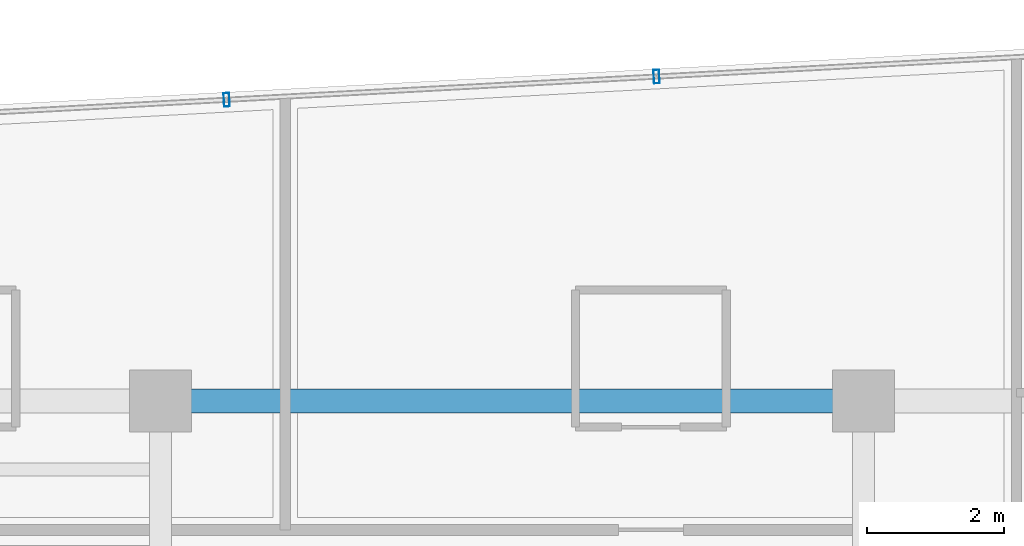
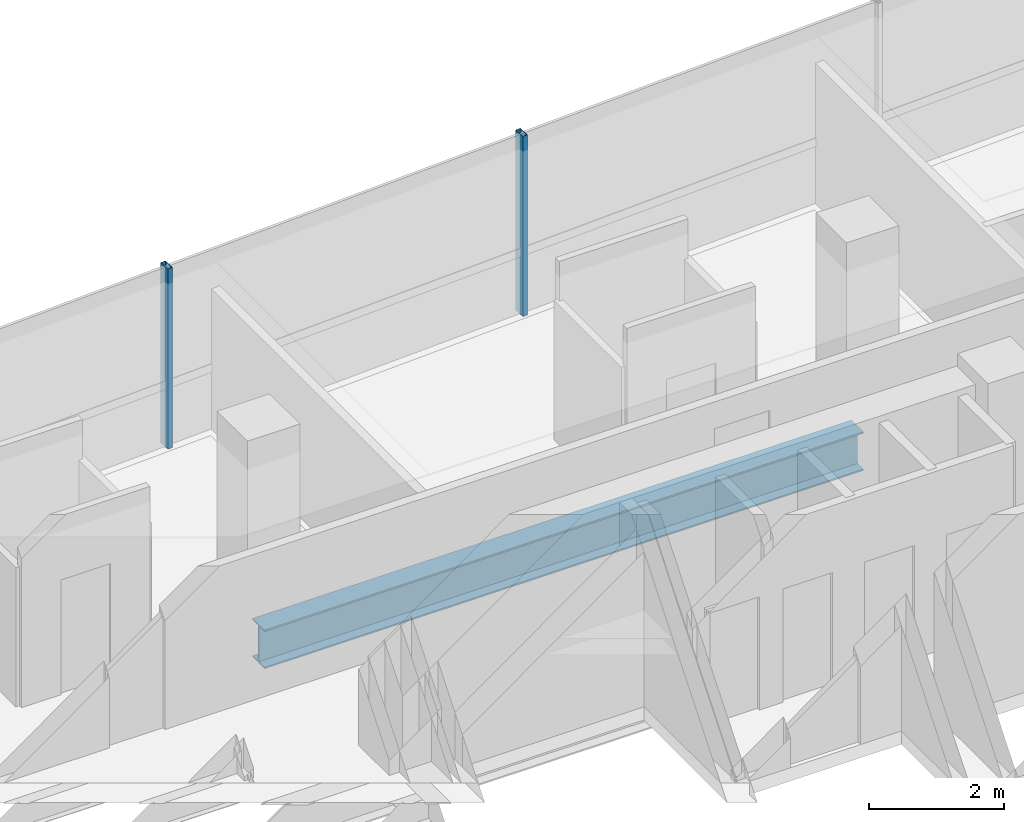
# One storey, part 12 of 22: 2 members, 1 beam, 1 element without a shape of its own.
"""IFC4 building model written with IfcOpenShell, lengths in metres."""

import ifcopenshell
import ifcopenshell.guid

model = None  # the IFC model being written
_history = None  # IfcOwnerHistory: only IFC2X3 demands one
_inside = {}  # id of a spatial element -> (the spatial element, [elements in it])
_under = {}  # id of a project, library or spatial element -> (it, [spatial elements below it])
_declared = {}  # id of a project -> (the project, [libraries it declares])
_typed = {}  # id of a type object -> (the type object, [elements of that type])
_made_of = {}  # id of a material, layer set ... -> (it, [elements and type objects made of it])


def new_model(schema):
    """Start an empty IFC model of exactly this schema.

    Asked for "IFC4X3", IfcOpenShell would pick the latest addendum, in which some entities
    have other attributes; the version numbers below select the first issue.
    IFC2X3 requires an IfcOwnerHistory on every rooted entity: one is made here for all.
    """
    global model, _history
    if schema == "IFC4X3":
        model = ifcopenshell.file(schema_version=(4, 3, 0, 0))
    else:
        model = ifcopenshell.file(schema=schema)
    _inside.clear()
    _under.clear()
    _declared.clear()
    _typed.clear()
    _made_of.clear()
    _history = None
    if model.schema == "IFC2X3":
        org = make("IfcOrganization", Name="unknown")
        user = make(
            "IfcPersonAndOrganization",
            ThePerson=make("IfcPerson", FamilyName="unknown"),
            TheOrganization=org,
        )
        app = make(
            "IfcApplication",
            ApplicationDeveloper=org,
            Version="unknown",
            ApplicationFullName="unknown",
            ApplicationIdentifier="unknown",
        )
        _history = make(
            "IfcOwnerHistory",
            OwningUser=user,
            OwningApplication=app,
            ChangeAction="ADDED",
            CreationDate=0,
        )
    return model


def make(cls, **values):
    """One entity of the class cls with the attributes given. An attribute that is None is left unset."""
    return model.create_entity(
        cls, **{name: value for name, value in values.items() if value is not None}
    )


def rooted(cls, **values):
    """An entity with a GlobalId (a new one), such as an element, a storey or a relation."""
    return make(cls, GlobalId=ifcopenshell.guid.new(), OwnerHistory=_history, **values)


def si_unit(unit_type, name, prefix=None):
    """IfcSIUnit, for example si_unit("LENGTHUNIT", "METRE", prefix="MILLI")."""
    return make("IfcSIUnit", UnitType=unit_type, Prefix=prefix, Name=name)


def assignment(units):
    """IfcUnitAssignment: the units of a project."""
    return None if units is None else make("IfcUnitAssignment", Units=units)


def point(xyz):
    """IfcCartesianPoint."""
    return None if xyz is None else make("IfcCartesianPoint", Coordinates=xyz)


def direction(xyz):
    """IfcDirection."""
    return None if xyz is None else make("IfcDirection", DirectionRatios=xyz)


def frame(location, z_axis=None, x_axis=None):
    """IfcAxis2Placement3D, a coordinate frame: its origin and axes. An axis left out is left unset."""
    return make(
        "IfcAxis2Placement3D",
        Location=point(location),
        Axis=direction(z_axis),
        RefDirection=direction(x_axis),
    )


def frame_2d(location, x_axis=None):
    """IfcAxis2Placement2D, a coordinate frame in the plane: its origin and x axis."""
    return make(
        "IfcAxis2Placement2D", Location=point(location), RefDirection=direction(x_axis)
    )


def origin():
    """The frame at (0, 0, 0) with its axes left unset."""
    return frame((0.0, 0.0, 0.0))


def origin_2d():
    """The frame at (0, 0) in the plane with its x axis left unset."""
    return frame_2d((0.0, 0.0))


def place(relative_to, where):
    """IfcLocalPlacement: puts the frame where relative to a parent placement (None: the world)."""
    return make(
        "IfcLocalPlacement", PlacementRelTo=relative_to, RelativePlacement=where
    )


def context(
    kind, dimensions, precision=None, world=None, true_north=None, identifier=None
):
    """IfcGeometricRepresentationContext, for example the 3D "Model" context."""
    return make(
        "IfcGeometricRepresentationContext",
        ContextIdentifier=identifier,
        ContextType=kind,
        CoordinateSpaceDimension=dimensions,
        Precision=precision,
        WorldCoordinateSystem=world,
        TrueNorth=true_north,
    )


def subcontext(parent, identifier, kind, view, scale=None):
    """IfcGeometricRepresentationSubContext, for example "Body" below "Model"."""
    return make(
        "IfcGeometricRepresentationSubContext",
        ContextIdentifier=identifier,
        ContextType=kind,
        ParentContext=parent,
        TargetScale=scale,
        TargetView=view,
    )


def project(units=None, contexts=None):
    """IfcProject with its units and contexts."""
    return rooted(
        "IfcProject",
        Name="project",
        RepresentationContexts=contexts,
        UnitsInContext=assignment(units),
    )


def spatial(cls, under=None, at=None, **own):
    """A site, building, storey or space (cls), placed at a placement, below another one or the project."""
    s = rooted(cls, ObjectPlacement=at, **own)
    if under is not None:
        _under.setdefault(under.id(), (under, []))[1].append(s)
    return s


def profile(cls, at=None, kind="AREA", **sizes):
    """A parametric profile (cls). Its sizes go by their IFC names, for example OverallWidth=200.0."""
    return make(cls, ProfileType=kind, Position=at, **sizes)


def hollow_rectangle(**sizes):
    """IfcRectangleHollowProfileDef."""
    return profile("IfcRectangleHollowProfileDef", **sizes)


def i_section(**sizes):
    """IfcIShapeProfileDef."""
    return profile("IfcIShapeProfileDef", **sizes)


def extrude(swept, where, along, depth):
    """IfcExtrudedAreaSolid: the profile swept, set in the frame where, extruded along a direction by depth."""
    return make(
        "IfcExtrudedAreaSolid",
        SweptArea=swept,
        Position=where,
        ExtrudedDirection=direction(along),
        Depth=depth,
    )


def shape(context_of_items, identifier, shape_type, items):
    """IfcShapeRepresentation: the items that make up one representation, for example the "Body"."""
    return make(
        "IfcShapeRepresentation",
        ContextOfItems=context_of_items,
        RepresentationIdentifier=identifier,
        RepresentationType=shape_type,
        Items=items,
    )


def source(mapping_origin, context_of_items, identifier, shape_type, items):
    """IfcRepresentationMap: a shape defined once, which mapped items show again and again."""
    return make(
        "IfcRepresentationMap",
        MappingOrigin=mapping_origin,
        MappedRepresentation=shape(context_of_items, identifier, shape_type, items),
    )


def transform(
    local_origin,
    x_axis=None,
    y_axis=None,
    z_axis=None,
    scale=None,
    scale2=None,
    scale3=None,
    uniform=True,
):
    """IfcCartesianTransformationOperator3D, or its non-uniform kind. x_axis, y_axis, z_axis: its Axis1, 2, 3."""
    if uniform:
        return make(
            "IfcCartesianTransformationOperator3D",
            Axis1=direction(x_axis),
            Axis2=direction(y_axis),
            LocalOrigin=point(local_origin),
            Scale=scale,
            Axis3=direction(z_axis),
        )
    return make(
        "IfcCartesianTransformationOperator3DnonUniform",
        Axis1=direction(x_axis),
        Axis2=direction(y_axis),
        LocalOrigin=point(local_origin),
        Scale=scale,
        Axis3=direction(z_axis),
        Scale2=scale2,
        Scale3=scale3,
    )


def mapped(mapping_source, mapping_target):
    """IfcMappedItem: shows the shape of a source again, moved by a transform."""
    return make(
        "IfcMappedItem", MappingSource=mapping_source, MappingTarget=mapping_target
    )


def material(Name=None, Category=None):
    """IfcMaterial."""
    return make("IfcMaterial", Name=Name, Category=Category)


def material_profile(
    of_material, cross_section, Name=None, Category=None, Priority=None
):
    """IfcMaterialProfile: a cross section and its material."""
    return make(
        "IfcMaterialProfile",
        Name=Name,
        Material=of_material,
        Profile=cross_section,
        Priority=Priority,
        Category=Category,
    )


def profile_set(profiles, Name=None, composite=None):
    """IfcMaterialProfileSet."""
    return make(
        "IfcMaterialProfileSet",
        Name=Name,
        MaterialProfiles=profiles,
        CompositeProfile=composite,
    )


def made_of(thing, what):
    """Note that an element or type object is made of a material, layer set ...; save() writes the relation."""
    if what is not None:
        _made_of.setdefault(what.id(), (what, []))[1].append(thing)
    return thing


def type_object(cls, material=None, **own):
    """A type object (cls), such as IfcWallType, which elements share."""
    return made_of(rooted(cls, **own), material)


def element(
    cls,
    number,
    at=None,
    inside=None,
    cuts=None,
    type_object=None,
    material=None,
    context=None,
    identifier="Body",
    shape_type=None,
    held_by="IfcProductDefinitionShape",
    body=None,
    shapes=None,
    **own,
):
    """One element of the class cls, such as IfcWall. Its Tag is "e" and its number.

    at: its placement. inside: the storey or other place that contains it. cuts: it is an
    opening in that element (IfcRelVoidsElement). A single representation is given by context,
    identifier, shape_type and body (its items); several are given by shapes. held_by: the class
    of the entity that holds the representations. save() writes the other relations.
    """
    e = rooted(cls, Tag="e%d" % number, ObjectPlacement=at, **own)
    if body is not None:
        shapes = [shape(context, identifier, shape_type, body)]
    if shapes is not None:
        e.Representation = make(held_by, Representations=shapes)
    if inside is not None:
        _inside.setdefault(inside.id(), (inside, []))[1].append(e)
    if cuts is not None:
        rooted(
            "IfcRelVoidsElement", RelatingBuildingElement=cuts, RelatedOpeningElement=e
        )
    if type_object is not None:
        _typed.setdefault(type_object.id(), (type_object, []))[1].append(e)
    return made_of(e, material)


def aggregate(whole, parts):
    """IfcRelAggregates: a whole, such as a stair, and the parts it consists of."""
    return rooted("IfcRelAggregates", RelatingObject=whole, RelatedObjects=parts)


def save(model, path):
    """Write the relations noted so far, then the file.

    IfcRelAggregates (storeys below a building ...), IfcRelContainedInSpatialStructure (elements
    in a storey), IfcRelDefinesByType, IfcRelAssociatesMaterial and IfcRelDeclares: one each for
    every whole, place, type object, material and project.
    """
    for whole, parts in _under.values():
        aggregate(whole, parts)
    for where, things in _inside.values():
        rooted(
            "IfcRelContainedInSpatialStructure",
            RelatedElements=things,
            RelatingStructure=where,
        )
    for kind, things in _typed.values():
        rooted("IfcRelDefinesByType", RelatedObjects=things, RelatingType=kind)
    for what, things in _made_of.values():
        rooted("IfcRelAssociatesMaterial", RelatedObjects=things, RelatingMaterial=what)
    for by, libraries in _declared.values():
        rooted("IfcRelDeclares", RelatingContext=by, RelatedDefinitions=libraries)
    model.write(path)


model = new_model("IFC4")

# Units and contexts
model_context = context("Model", 3, precision=1e-05, world=origin(), true_north=direction((0.0, 1.0)))
body_context = subcontext(model_context, "Body", "Model", "MODEL_VIEW")
ifc_project = project(units=[si_unit("LENGTHUNIT", "METRE"), si_unit("AREAUNIT", "SQUARE_METRE"), si_unit("VOLUMEUNIT", "CUBIC_METRE"), si_unit("PLANEANGLEUNIT", "RADIAN"), si_unit("MASSUNIT", "GRAM", prefix="KILO")], contexts=[model_context])

# Site, building, storey
site_placement = place(None, origin())
site = spatial("IfcSite", under=ifc_project, at=site_placement, CompositionType="ELEMENT")
building_placement = place(site_placement, origin())
building = spatial("IfcBuilding", under=site, at=building_placement, Name="Valdorenza Pilgrim Sanctuary Tower", CompositionType="ELEMENT")
storey_placement = place(building_placement, frame((0.0, 0.0, 216.0)))
storey = spatial("IfcBuildingStorey", under=building, at=storey_placement, Name="L55", CompositionType="ELEMENT", Elevation=216.0)

# Beam
ifc_material_1 = material(Name="Steel ASTM A992 Grade 50", Category="steel")
ifc_material_profile_1 = material_profile(ifc_material_1, i_section(OverallWidth=0.35595703125, OverallDepth=0.700927734375, WebThickness=0.016845703125, FlangeThickness=0.02734375, at=origin_2d()), Name="W27X161")
ifc_profile_set_1 = profile_set([ifc_material_profile_1], Name="Steel ASTM A992 Grade 50")
beam_type = type_object("IfcBeamType", Name="STR-BM-GRD-W27", PredefinedType="BEAM", material=ifc_profile_set_1)
shared_shape_1 = source(origin(), body_context, "Body", "SweptSolid", [
    extrude(i_section(OverallWidth=0.35595703125, OverallDepth=0.700927734375, WebThickness=0.016845703125, FlangeThickness=0.02734375, at=origin_2d()), origin(), (0.0, 0.0, 1.0), 10.25),
])
beam_placement = place(storey_placement, frame((-22.64990234375, 14.800048828125, -0.590576171875), z_axis=(1.0, 0.0, 0.0), x_axis=(0.0, 1.0, 0.0)))
element("IfcBeam", 1, at=beam_placement, inside=storey, type_object=beam_type, Name="L55 Floor Girder CA-XC-N2", PredefinedType="BEAM", context=body_context, shape_type="MappedRepresentation", body=[
    mapped(shared_shape_1, transform((0.0, 0.0, 0.0), x_axis=(1.0, 0.0, 0.0), y_axis=(0.0, 1.0, 0.0), z_axis=(0.0, 0.0, 1.0), scale=1.0)),
])

# Curtain wall, members
ifc_material_2 = material(Name="Curtain-wall IGU glazing", Category="glass")
curtain_wall_type = type_object("IfcCurtainWallType", Name="CW-SYS-02", PredefinedType="NOTDEFINED", material=ifc_material_2)
curtain_wall_placement = place(storey_placement, origin())
curtain_wall = element("IfcCurtainWall", 2, at=curtain_wall_placement, inside=storey, type_object=curtain_wall_type, Name="L55 Curtain Wall CW-L55-1-6", PredefinedType="NOTDEFINED")
ifc_material_3 = material(Name="Anodised aluminium AW-6060", Category="aluminium")
ifc_material_profile_2 = material_profile(ifc_material_3, hollow_rectangle(XDim=0.0849609375, YDim=0.199951171875, WallThickness=0.0048828125, at=origin_2d()), Name="ALU-M 200x85x5")
ifc_profile_set_2 = profile_set([ifc_material_profile_2], Name="Anodised aluminium AW-6060")
member_type = type_object("IfcMemberType", Name="CW-MUL-02", PredefinedType="MULLION", material=ifc_profile_set_2)
shared_shape_2 = source(origin(), body_context, "Body", "SweptSolid", [
    extrude(hollow_rectangle(XDim=0.0849609375, YDim=0.199951171875, WallThickness=0.0048828125, at=origin_2d()), origin(), (0.0, 0.0, 1.0), 3.260009765625),
])
member_1_placement = place(storey_placement, frame((-21.686279296875, 19.1923828125, 0.0), z_axis=(0.0, 0.0, 1.0), x_axis=(0.998547034311, 0.053887106711, 0.0)))
member_1 = element("IfcMember", 3, at=member_1_placement, type_object=member_type, Name="CW-L55-1-6 Mullion 2", PredefinedType="MULLION", context=body_context, shape_type="MappedRepresentation", body=[
    mapped(shared_shape_2, transform((0.0, 0.0, 0.0), x_axis=(1.0, 0.0, 0.0), y_axis=(0.0, 1.0, 0.0), z_axis=(0.0, 0.0, 1.0), scale=1.0)),
])
member_2_placement = place(storey_placement, frame((-15.4169921875, 19.531005859375, 0.0), z_axis=(0.0, 0.0, 1.0), x_axis=(0.998547034311, 0.053887106711, 0.0)))
member_2 = element("IfcMember", 4, at=member_2_placement, type_object=member_type, Name="CW-L55-1-6 Mullion 3", PredefinedType="MULLION", context=body_context, shape_type="MappedRepresentation", body=[
    mapped(shared_shape_2, transform((0.0, 0.0, 0.0), x_axis=(1.0, 0.0, 0.0), y_axis=(0.0, 1.0, 0.0), z_axis=(0.0, 0.0, 1.0), scale=1.0)),
])
aggregate(curtain_wall, [member_1, member_2])

save(model, "model.ifc")
